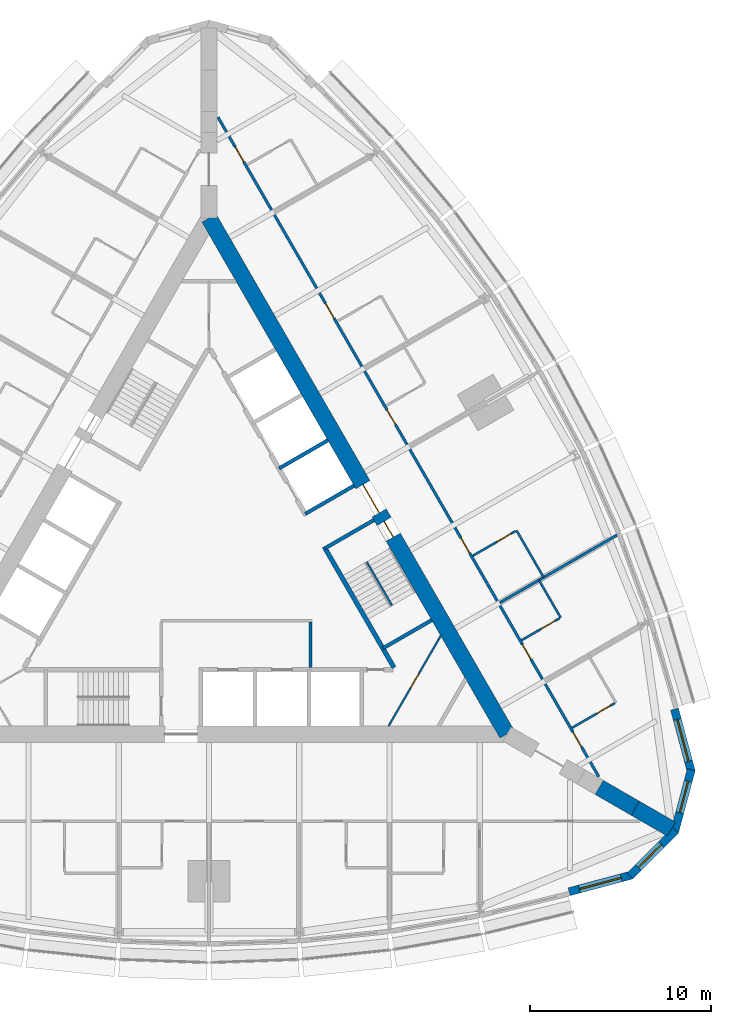
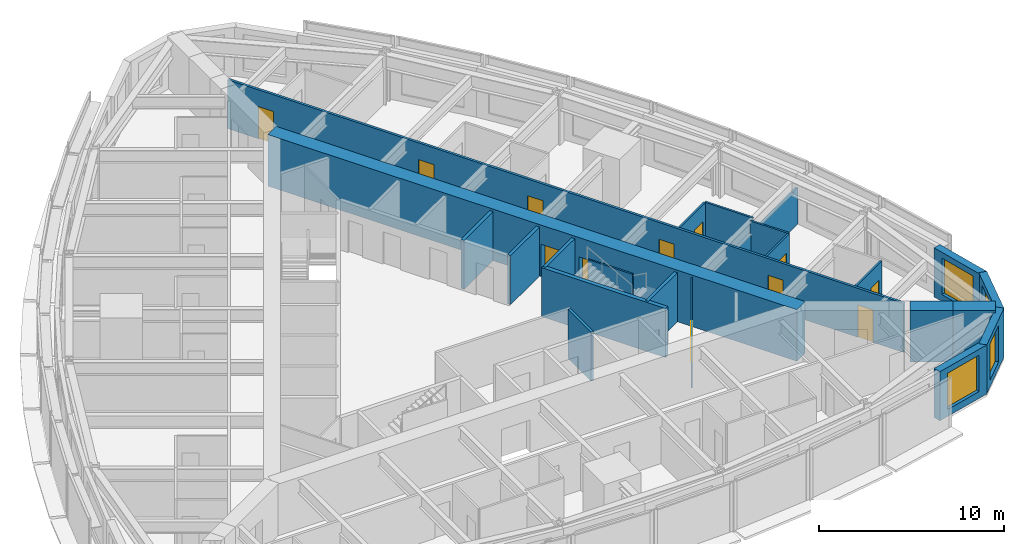
# One storey, part 11 of 14: 22 walls, 12 doors, 4 windows, 16 openings.
"""IFC4 building model written with IfcOpenShell, lengths in metres."""

from ifc_helpers import new_model, si_unit, direction, frame, frame_2d, origin, place, context, subcontext, project, spatial, polyline, rectangle, outline, extrude, material, layer, layer_set, type_object, element, fill, save


model = new_model("IFC4")

# Units and contexts
model_context = context("Model", 3, precision=1e-05, world=origin(), true_north=direction((0.0, 1.0)))
body_context = subcontext(model_context, "Body", "Model", "MODEL_VIEW")
ifc_project = project(units=[si_unit("LENGTHUNIT", "METRE"), si_unit("AREAUNIT", "SQUARE_METRE"), si_unit("VOLUMEUNIT", "CUBIC_METRE"), si_unit("PLANEANGLEUNIT", "RADIAN"), si_unit("MASSUNIT", "GRAM", prefix="KILO")], contexts=[model_context])

# Site, building, storey
site_placement = place(None, origin())
site = spatial("IfcSite", under=ifc_project, at=site_placement, CompositionType="ELEMENT")
building_placement = place(site_placement, origin())
building = spatial("IfcBuilding", under=site, at=building_placement, Name="Trikona Tower", CompositionType="ELEMENT")
storey_placement = place(building_placement, frame((0.0, 0.0, 124.89990234375)))
storey = spatial("IfcBuildingStorey", under=building, at=storey_placement, Name="L32", CompositionType="ELEMENT", Elevation=124.89990234375)

# Wall, opening, door
ifc_material_1 = material(Name="Metal stud and cement board", Category="gypsum")
ifc_layer_1 = layer(ifc_material_1, 0.1201171875)
ifc_layer_set_1 = layer_set([ifc_layer_1], Name="Bathroom wall 120")
wall_type_1 = type_object("IfcWallType", Name="Bathroom wall 120", PredefinedType="PLUMBINGWALL", material=ifc_layer_set_1)
wall_1_placement = place(storey_placement, frame((20.10791015625, -9.17529296875, 0.0), z_axis=(0.0, 0.0, 1.0), x_axis=(0.866035715982, 0.499982138324, 0.0)))
wall_1 = element("IfcWall", 1, at=wall_1_placement, inside=storey, type_object=wall_type_1, Name="Bathroom wall 3206", PredefinedType="PLUMBINGWALL", context=body_context, shape_type="SweptSolid", body=[
    extrude(rectangle(XDim=2.73974609375, YDim=0.1201171875, at=frame_2d((1.369873046875, 0.0))), origin(), (0.0, 0.0, 1.0), 3.235107421875),
])
opening_1_placement = place(wall_1_placement, frame((1.550048828125, 0.0, 0.0)))
opening_1 = element("IfcOpeningElement", 2, at=opening_1_placement, cuts=wall_1, Name="Opening D2", PredefinedType="OPENING", context=body_context, shape_type="SweptSolid", body=[
    extrude(rectangle(XDim=0.89990234375, YDim=2.1298828125, at=frame_2d((0.449951171875, 1.06494140625))), frame((0.0, 0.070068359375, 0.0), z_axis=(0.0, -1.0, 0.0), x_axis=(1.0, 0.0, 0.0)), (0.0, 0.0, 1.0), 0.14013671875),
])
ifc_material_2 = material(Name="Steel door frame with solid-core timber leaf", Category="steel")
door_type_1 = type_object("IfcDoorType", Name="Bathroom door 900x2130", OperationType="SLIDING_TO_LEFT", PredefinedType="DOOR", material=ifc_material_2)
door_1_placement = place(opening_1_placement, origin())
door_1 = element("IfcDoor", 3, at=door_1_placement, inside=storey, type_object=door_type_1, Name="Bathroom door 3206", OperationType="SLIDING_TO_LEFT", OverallHeight=2.1298828125, OverallWidth=0.89990234375, PredefinedType="DOOR", context=body_context, shape_type="SweptSolid", body=[
    extrude(rectangle(XDim=0.89990234375, YDim=2.1298828125, at=frame_2d((0.449951171875, 1.06494140625))), frame((0.0, 0.02490234375, 0.0), z_axis=(0.0, -1.0, 0.0), x_axis=(1.0, 0.0, 0.0)), (0.0, 0.0, 1.0), 0.050048828125),
])
fill(opening_1, door_1)

# Wall
wall_2_placement = place(storey_placement, frame((19.472900390625, -3.07568359375, 0.0), z_axis=(0.0, 0.0, 1.0), x_axis=(-0.499957262057, 0.866050077142, 0.0)))
element("IfcWall", 4, at=wall_2_placement, inside=storey, type_object=wall_type_1, Name="Bathroom wall 3207", PredefinedType="PLUMBINGWALL", context=body_context, shape_type="SweptSolid", body=[
    extrude(rectangle(XDim=2.400146484375, YDim=0.1201171875, at=frame_2d((1.2001953125, 0.0))), origin(), (0.0, 0.0, 1.0), 3.235107421875),
])

# Wall, opening, door
wall_3_placement = place(storey_placement, frame((17.307861328125, -4.32568359375, 0.0), z_axis=(0.0, 0.0, 1.0), x_axis=(0.866023955769, 0.500002508028, 0.0)))
wall_3 = element("IfcWall", 5, at=wall_3_placement, inside=storey, type_object=wall_type_1, Name="Bathroom wall 3207", PredefinedType="PLUMBINGWALL", context=body_context, shape_type="SweptSolid", body=[
    extrude(rectangle(XDim=2.43994140625, YDim=0.1201171875, at=frame_2d((1.219970703125, 0.0))), origin(), (0.0, 0.0, 1.0), 3.235107421875),
])
opening_2_placement = place(wall_3_placement, frame((1.25, 0.0, 0.0)))
opening_2 = element("IfcOpeningElement", 6, at=opening_2_placement, cuts=wall_3, Name="Opening D2", PredefinedType="OPENING", context=body_context, shape_type="SweptSolid", body=[
    extrude(rectangle(XDim=0.89990234375, YDim=2.1298828125, at=frame_2d((0.449951171875, 1.06494140625))), frame((0.0, 0.070068359375, 0.0), z_axis=(0.0, -1.0, 0.0), x_axis=(1.0, 0.0, 0.0)), (0.0, 0.0, 1.0), 0.14013671875),
])
door_2_placement = place(opening_2_placement, origin())
door_2 = element("IfcDoor", 7, at=door_2_placement, inside=storey, type_object=door_type_1, Name="Bathroom door 3207", OperationType="SLIDING_TO_LEFT", OverallHeight=2.1298828125, OverallWidth=0.89990234375, PredefinedType="DOOR", context=body_context, shape_type="SweptSolid", body=[
    extrude(rectangle(XDim=0.89990234375, YDim=2.1298828125, at=frame_2d((0.449951171875, 1.06494140625))), frame((0.0, 0.02490234375, 0.0), z_axis=(0.0, -1.0, 0.0), x_axis=(1.0, 0.0, 0.0)), (0.0, 0.0, 1.0), 0.050048828125),
])
fill(opening_2, door_2)

# Wall
wall_4_placement = place(storey_placement, frame((18.53271484375, -0.84716796875, 0.0), z_axis=(0.0, 0.0, 1.0), x_axis=(-0.499990139034, 0.866031096941, 0.0)))
element("IfcWall", 8, at=wall_4_placement, inside=storey, type_object=wall_type_1, Name="Bathroom wall 3208", PredefinedType="PLUMBINGWALL", context=body_context, shape_type="SweptSolid", body=[
    extrude(rectangle(XDim=3.0, YDim=0.1201171875, at=frame_2d((1.5, 0.0))), origin(), (0.0, 0.0, 1.0), 3.235107421875),
])

# Wall, opening, door
wall_5_placement = place(storey_placement, frame((14.60791015625, 0.35107421875, 0.0), z_axis=(0.0, 0.0, 1.0), x_axis=(0.866035715982, 0.499982138324, 0.0)))
wall_5 = element("IfcWall", 9, at=wall_5_placement, inside=storey, type_object=wall_type_1, Name="Bathroom wall 3208", PredefinedType="PLUMBINGWALL", context=body_context, shape_type="SweptSolid", body=[
    extrude(rectangle(XDim=2.73974609375, YDim=0.1201171875, at=frame_2d((1.369873046875, 0.0))), origin(), (0.0, 0.0, 1.0), 3.235107421875),
])
opening_3_placement = place(wall_5_placement, frame((1.550048828125, 0.0, 0.0)))
opening_3 = element("IfcOpeningElement", 10, at=opening_3_placement, cuts=wall_5, Name="Opening D2", PredefinedType="OPENING", context=body_context, shape_type="SweptSolid", body=[
    extrude(rectangle(XDim=0.89990234375, YDim=2.1298828125, at=frame_2d((0.449951171875, 1.06494140625))), frame((0.0, 0.070068359375, 0.0), z_axis=(0.0, -1.0, 0.0), x_axis=(1.0, 0.0, 0.0)), (0.0, 0.0, 1.0), 0.14013671875),
])
door_3_placement = place(opening_3_placement, origin())
door_3 = element("IfcDoor", 11, at=door_3_placement, inside=storey, type_object=door_type_1, Name="Bathroom door 3208", OperationType="SLIDING_TO_LEFT", OverallHeight=2.1298828125, OverallWidth=0.89990234375, PredefinedType="DOOR", context=body_context, shape_type="SweptSolid", body=[
    extrude(rectangle(XDim=0.89990234375, YDim=2.1298828125, at=frame_2d((0.449951171875, 1.06494140625))), frame((0.0, 0.02490234375, 0.0), z_axis=(0.0, -1.0, 0.0), x_axis=(1.0, 0.0, 0.0)), (0.0, 0.0, 1.0), 0.050048828125),
])
fill(opening_3, door_3)

# Wall, opening, window
ifc_material_3 = material(Name="Brick-faced precast concrete", Category="masonry")
ifc_layer_2 = layer(ifc_material_3, 0.449951171875)
ifc_layer_set_2 = layer_set([ifc_layer_2], Name="Brick-faced corner wall 450")
wall_type_2 = type_object("IfcWallType", Name="Brick-faced corner wall 450", PredefinedType="SOLIDWALL", material=ifc_layer_set_2)
wall_6_placement = place(storey_placement, frame((19.94189453125, -18.2578125, 0.0), z_axis=(0.0, 0.0, 1.0), x_axis=(0.965924653531, 0.258823421857, 0.0)))
wall_6 = element("IfcWall", 12, at=wall_6_placement, inside=storey, type_object=wall_type_2, Name="External wall L32-08", PredefinedType="SOLIDWALL", context=body_context, shape_type="SweptSolid", body=[
    extrude(rectangle(XDim=3.58642578125, YDim=0.449951171875, at=frame_2d((1.793212890625, 0.0))), origin(), (0.0, 0.0, 1.0), 3.235107421875),
])
opening_4_placement = place(wall_6_placement, frame((0.593017578125, 0.0, 0.449951171875)))
opening_4 = element("IfcOpeningElement", 13, at=opening_4_placement, cuts=wall_6, Name="Opening W2424", PredefinedType="OPENING", context=body_context, shape_type="SweptSolid", body=[
    extrude(rectangle(XDim=2.39990234375, YDim=2.39990234375, at=frame_2d((1.199951171875, 1.199951171875))), frame((0.0, 0.23486328125, 0.0), z_axis=(0.0, -1.0, 0.0), x_axis=(1.0, 0.0, 0.0)), (0.0, 0.0, 1.0), 0.469970703125),
])
ifc_material_4 = material(Name="Aluminium-framed double glazing", Category="aluminium")
window_type_1 = type_object("IfcWindowType", Name="Window 2400x2400", PartitioningType="SINGLE_PANEL", PredefinedType="WINDOW", material=ifc_material_4)
window_1_placement = place(opening_4_placement, origin())
window_1 = element("IfcWindow", 14, at=window_1_placement, inside=storey, type_object=window_type_1, Name="Window 3205", OverallHeight=2.39990234375, OverallWidth=2.39990234375, PartitioningType="SINGLE_PANEL", PredefinedType="WINDOW", context=body_context, shape_type="SweptSolid", body=[
    extrude(rectangle(XDim=2.39990234375, YDim=2.39990234375, at=frame_2d((1.199951171875, 1.199951171875))), frame((0.0, 0.030029296875, 0.0), z_axis=(0.0, -1.0, 0.0), x_axis=(1.0, 0.0, 0.0)), (0.0, 0.0, 1.0), 0.06005859375),
])
fill(opening_4, window_1)

wall_7_placement = place(storey_placement, frame((23.304931640625, -17.387939453125, 0.0), z_axis=(0.0, 0.0, 1.0), x_axis=(0.707106781187, 0.707106781187, 0.0)))
wall_7 = element("IfcWall", 15, at=wall_7_placement, inside=storey, type_object=wall_type_2, Name="External wall L32-09", PredefinedType="SOLIDWALL", context=body_context, shape_type="SweptSolid", body=[
    extrude(outline(polyline([(3.586181640625, 0.22509765625), (3.527099609375, 0.22509765625), (3.03515625, 0.09326171875), (3.0, 0.22509765625), (0.0, 0.22509765625), (0.0, -0.22509765625), (3.586181640625, -0.22509765625), (3.586181640625, 0.22509765625)])), origin(), (0.0, 0.0, 1.0), 3.235107421875),
])
opening_5_placement = place(wall_7_placement, frame((0.6748046875, 0.0, 0.449951171875)))
opening_5 = element("IfcOpeningElement", 16, at=opening_5_placement, cuts=wall_7, Name="Opening W1824", PredefinedType="OPENING", context=body_context, shape_type="SweptSolid", body=[
    extrude(rectangle(XDim=1.800048828125, YDim=2.39990234375, at=frame_2d((0.89990234375, 1.199951171875))), frame((0.0, 0.23486328125, 0.0), z_axis=(0.0, -1.0, 0.0), x_axis=(1.0, 0.0, 0.0)), (0.0, 0.0, 1.0), 0.469970703125),
])
ifc_material_5 = material(Name="Aluminium-framed double glazing", Category="aluminium")
window_type_2 = type_object("IfcWindowType", Name="Window 1800x2400", PartitioningType="SINGLE_PANEL", PredefinedType="WINDOW", material=ifc_material_5)
window_2_placement = place(opening_5_placement, origin())
window_2 = element("IfcWindow", 17, at=window_2_placement, inside=storey, type_object=window_type_2, Name="Window 3205", OverallHeight=2.39990234375, OverallWidth=1.800048828125, PartitioningType="SINGLE_PANEL", PredefinedType="WINDOW", context=body_context, shape_type="SweptSolid", body=[
    extrude(rectangle(XDim=1.800048828125, YDim=2.39990234375, at=frame_2d((0.89990234375, 1.199951171875))), frame((0.0, 0.030029296875, 0.0), z_axis=(0.0, -1.0, 0.0), x_axis=(1.0, 0.0, 0.0)), (0.0, 0.0, 1.0), 0.06005859375),
])
fill(opening_5, window_2)

wall_8_placement = place(storey_placement, frame((25.78271484375, -14.952880859375, 0.0), z_axis=(0.0, 0.0, 1.0), x_axis=(0.258823421857, 0.965924653531, 0.0)))
wall_8 = element("IfcWall", 18, at=wall_8_placement, inside=storey, type_object=wall_type_2, Name="External wall L32-10", PredefinedType="SOLIDWALL", context=body_context, shape_type="SweptSolid", body=[
    extrude(outline(polyline([(3.58642578125, 0.22509765625), (0.58642578125, 0.22509765625), (0.551025390625, 0.09326171875), (0.0595703125, 0.22509765625), (0.0, 0.22509765625), (0.0, -0.22509765625), (3.58642578125, -0.22509765625), (3.58642578125, 0.22509765625)])), origin(), (0.0, 0.0, 1.0), 3.235107421875),
])
opening_6_placement = place(wall_8_placement, frame((1.111328125, 0.0, 0.449951171875)))
opening_6 = element("IfcOpeningElement", 19, at=opening_6_placement, cuts=wall_8, Name="Opening W1824", PredefinedType="OPENING", context=body_context, shape_type="SweptSolid", body=[
    extrude(rectangle(XDim=1.800048828125, YDim=2.39990234375, at=frame_2d((0.89990234375, 1.199951171875))), frame((0.0, 0.23486328125, 0.0), z_axis=(0.0, -1.0, 0.0), x_axis=(1.0, 0.0, 0.0)), (0.0, 0.0, 1.0), 0.469970703125),
])
window_3_placement = place(opening_6_placement, origin())
window_3 = element("IfcWindow", 20, at=window_3_placement, inside=storey, type_object=window_type_2, Name="Window 3206", OverallHeight=2.39990234375, OverallWidth=1.800048828125, PartitioningType="SINGLE_PANEL", PredefinedType="WINDOW", context=body_context, shape_type="SweptSolid", body=[
    extrude(rectangle(XDim=1.800048828125, YDim=2.39990234375, at=frame_2d((0.89990234375, 1.199951171875))), frame((0.0, 0.030029296875, 0.0), z_axis=(0.0, -1.0, 0.0), x_axis=(1.0, 0.0, 0.0)), (0.0, 0.0, 1.0), 0.06005859375),
])
fill(opening_6, window_3)

wall_9_placement = place(storey_placement, frame((26.7109375, -11.605224609375, 0.0), z_axis=(0.0, 0.0, 1.0), x_axis=(-0.258823421857, 0.965924653531, 0.0)))
wall_9 = element("IfcWall", 21, at=wall_9_placement, inside=storey, type_object=wall_type_2, Name="External wall L32-11", PredefinedType="SOLIDWALL", context=body_context, shape_type="SweptSolid", body=[
    extrude(rectangle(XDim=3.58642578125, YDim=0.449951171875, at=frame_2d((1.793212890625, 0.0))), origin(), (0.0, 0.0, 1.0), 3.235107421875),
])
opening_7_placement = place(wall_9_placement, frame((0.593017578125, 0.0, 0.449951171875)))
opening_7 = element("IfcOpeningElement", 22, at=opening_7_placement, cuts=wall_9, Name="Opening W2424", PredefinedType="OPENING", context=body_context, shape_type="SweptSolid", body=[
    extrude(rectangle(XDim=2.39990234375, YDim=2.39990234375, at=frame_2d((1.199951171875, 1.199951171875))), frame((0.0, 0.23486328125, 0.0), z_axis=(0.0, -1.0, 0.0), x_axis=(1.0, 0.0, 0.0)), (0.0, 0.0, 1.0), 0.469970703125),
])
window_4_placement = place(opening_7_placement, origin())
window_4 = element("IfcWindow", 23, at=window_4_placement, inside=storey, type_object=window_type_1, Name="Window 3206", OverallHeight=2.39990234375, OverallWidth=2.39990234375, PartitioningType="SINGLE_PANEL", PredefinedType="WINDOW", context=body_context, shape_type="SweptSolid", body=[
    extrude(rectangle(XDim=2.39990234375, YDim=2.39990234375, at=frame_2d((1.199951171875, 1.199951171875))), frame((0.0, 0.030029296875, 0.0), z_axis=(0.0, -1.0, 0.0), x_axis=(1.0, 0.0, 0.0)), (0.0, 0.0, 1.0), 0.06005859375),
])
fill(opening_7, window_4)

# Walls
ifc_material_6 = material(Name="Concrete f'c 10000 psi", Category="concrete")
ifc_layer_3 = layer(ifc_material_6, 0.89990234375)
ifc_layer_set_3 = layer_set([ifc_layer_3], Name="Buttress wall 900")
wall_type_3 = type_object("IfcWallType", Name="Buttress wall 900", PredefinedType="SHEAR", material=ifc_layer_set_3)
for number, where, z_axis, x_axis, name in (
    (24, (21.6103515625, -12.476806640625, 0.0), (0.0, 0.0, 1.0), (0.866055313784, -0.499948190782, 0.0), "Buttress wall 1 part 3"),
    (25, (23.6103515625, -13.63134765625, 0.0), (0.0, 0.0, 1.0), (0.866009537788, -0.500027479704, 0.0), "Buttress wall 1 part 4"),
):
    element("IfcWall", number, at=place(storey_placement, frame(where, z_axis=z_axis, x_axis=x_axis)), inside=storey, type_object=wall_type_3, Name=name, PredefinedType="SHEAR", context=body_context, shape_type="SweptSolid", body=[
        extrude(rectangle(XDim=2.309326171875, YDim=0.89990234375, at=frame_2d((1.15478515625, 0.0))), origin(), (0.0, 0.0, 1.0), 3.400146484375),
    ])

# Wall, openings, doors
ifc_material_7 = material(Name="Concrete f'c 10000 psi", Category="concrete")
ifc_layer_4 = layer(ifc_material_7, 0.89990234375)
ifc_layer_set_4 = layer_set([ifc_layer_4], Name="Core wall 900")
wall_type_4 = type_object("IfcWallType", Name="Core wall 900", PredefinedType="SHEAR", material=ifc_layer_set_4)
wall_10_placement = place(storey_placement, frame((16.5, -9.5263671875, 0.0), z_axis=(0.0, 0.0, 1.0), x_axis=(-0.499999749417, 0.866025548458, 0.0)))
wall_10 = element("IfcWall", 26, at=wall_10_placement, inside=storey, type_object=wall_type_4, Name="Core wall B", PredefinedType="SHEAR", context=body_context, shape_type="SweptSolid", body=[
    extrude(rectangle(XDim=33.0, YDim=0.89990234375, at=frame_2d((16.5, 0.0))), origin(), (0.0, 0.0, 1.0), 3.400146484375),
])
opening_8_placement = place(wall_10_placement, frame((14.14990234375, 0.0, 0.0)))
opening_8 = element("IfcOpeningElement", 27, at=opening_8_placement, cuts=wall_10, Name="Opening D6", PredefinedType="OPENING", context=body_context, shape_type="SweptSolid", body=[
    extrude(rectangle(XDim=1.800048828125, YDim=2.1298828125, at=frame_2d((0.89990234375, 1.06494140625))), frame((0.0, 0.4599609375, 0.0), z_axis=(0.0, -1.0, 0.0), x_axis=(1.0, 0.0, 0.0)), (0.0, 0.0, 1.0), 0.919921875),
])
opening_9_placement = place(wall_10_placement, frame((12.60009765625, 0.0, 0.0)))
opening_9 = element("IfcOpeningElement", 28, at=opening_9_placement, cuts=wall_10, Name="Opening D5", PredefinedType="OPENING", context=body_context, shape_type="SweptSolid", body=[
    extrude(rectangle(XDim=1.0, YDim=2.1298828125, at=frame_2d((0.5, 1.06494140625))), frame((0.0, 0.4599609375, 0.0), z_axis=(0.0, -1.0, 0.0), x_axis=(1.0, 0.0, 0.0)), (0.0, 0.0, 1.0), 0.919921875),
])
ifc_material_8 = material(Name="Hollow metal door and frame", Category="steel")
door_type_2 = type_object("IfcDoorType", Name="Lobby door pair 1800x2130", OperationType="DOUBLE_DOOR_SINGLE_SWING", PredefinedType="DOOR", material=ifc_material_8)
door_4_placement = place(opening_8_placement, origin())
door_4 = element("IfcDoor", 29, at=door_4_placement, inside=storey, type_object=door_type_2, Name="Lift lobby door B", OperationType="DOUBLE_DOOR_SINGLE_SWING", OverallHeight=2.1298828125, OverallWidth=1.800048828125, PredefinedType="DOOR", context=body_context, shape_type="SweptSolid", body=[
    extrude(rectangle(XDim=1.800048828125, YDim=2.1298828125, at=frame_2d((0.89990234375, 1.06494140625))), frame((0.0, 0.02490234375, 0.0), z_axis=(0.0, -1.0, 0.0), x_axis=(1.0, 0.0, 0.0)), (0.0, 0.0, 1.0), 0.050048828125),
])
fill(opening_8, door_4)
ifc_material_9 = material(Name="Hollow metal door and frame", Category="steel")
door_type_3 = type_object("IfcDoorType", Name="Stair door 1000x2130", OperationType="SINGLE_SWING_LEFT", PredefinedType="DOOR", material=ifc_material_9)
door_5_placement = place(opening_9_placement, origin())
door_5 = element("IfcDoor", 30, at=door_5_placement, inside=storey, type_object=door_type_3, Name="Stair B door", OperationType="SINGLE_SWING_RIGHT", OverallHeight=2.1298828125, OverallWidth=1.0, PredefinedType="DOOR", context=body_context, shape_type="SweptSolid", body=[
    extrude(rectangle(XDim=1.0, YDim=2.1298828125, at=frame_2d((0.5, 1.06494140625))), frame((0.0, 0.02490234375, 0.0), z_axis=(0.0, -1.0, 0.0), x_axis=(1.0, 0.0, 0.0)), (0.0, 0.0, 1.0), 0.050048828125),
])
fill(opening_9, door_5)

ifc_material_10 = material(Name="Metal stud and gypsum board, 1-hour", Category="gypsum")
ifc_layer_5 = layer(ifc_material_10, 0.14990234375)
ifc_layer_set_5 = layer_set([ifc_layer_5], Name="Corridor wall 150")
wall_type_5 = type_object("IfcWallType", Name="Corridor wall 150", PredefinedType="PARTITIONING", material=ifc_layer_set_5)
wall_11_placement = place(storey_placement, frame((21.5859375, -11.88525390625, 0.0), z_axis=(0.0, 0.0, 1.0), x_axis=(-0.500001915564, 0.86602429783, 0.0)))
wall_11 = element("IfcWall", 31, at=wall_11_placement, inside=storey, type_object=wall_type_5, Name="Corridor wall L32-2", PredefinedType="PARTITIONING", context=body_context, shape_type="SweptSolid", body=[
    extrude(rectangle(XDim=42.171630859375, YDim=0.14990234375, at=frame_2d((21.0859375, 0.0))), origin(), (0.0, 0.0, 1.0), 3.235107421875),
])
opening_10_placement = place(wall_11_placement, frame((1.910888671875, 0.0, 0.0)))
opening_10 = element("IfcOpeningElement", 32, at=opening_10_placement, cuts=wall_11, Name="Opening D1", PredefinedType="OPENING", context=body_context, shape_type="SweptSolid", body=[
    extrude(rectangle(XDim=0.949951171875, YDim=2.1298828125, at=frame_2d((0.47509765625, 1.06494140625))), frame((0.0, 0.0849609375, 0.0), z_axis=(0.0, -1.0, 0.0), x_axis=(1.0, 0.0, 0.0)), (0.0, 0.0, 1.0), 0.169921875),
])
opening_11_placement = place(wall_11_placement, frame((7.510986328125, 0.0, 0.0)))
opening_11 = element("IfcOpeningElement", 33, at=opening_11_placement, cuts=wall_11, Name="Opening D1", PredefinedType="OPENING", context=body_context, shape_type="SweptSolid", body=[
    extrude(rectangle(XDim=0.949951171875, YDim=2.1298828125, at=frame_2d((0.47509765625, 1.06494140625))), frame((0.0, 0.0849609375, 0.0), z_axis=(0.0, -1.0, 0.0), x_axis=(1.0, 0.0, 0.0)), (0.0, 0.0, 1.0), 0.169921875),
])
opening_12_placement = place(wall_11_placement, frame((14.310791015625, 0.0, 0.0)))
opening_12 = element("IfcOpeningElement", 34, at=opening_12_placement, cuts=wall_11, Name="Opening D1", PredefinedType="OPENING", context=body_context, shape_type="SweptSolid", body=[
    extrude(rectangle(XDim=0.949951171875, YDim=2.1298828125, at=frame_2d((0.47509765625, 1.06494140625))), frame((0.0, 0.0849609375, 0.0), z_axis=(0.0, -1.0, 0.0), x_axis=(1.0, 0.0, 0.0)), (0.0, 0.0, 1.0), 0.169921875),
])
opening_13_placement = place(wall_11_placement, frame((22.510986328125, 0.0, 0.0)))
opening_13 = element("IfcOpeningElement", 35, at=opening_13_placement, cuts=wall_11, Name="Opening D1", PredefinedType="OPENING", context=body_context, shape_type="SweptSolid", body=[
    extrude(rectangle(XDim=0.949951171875, YDim=2.1298828125, at=frame_2d((0.47509765625, 1.06494140625))), frame((0.0, 0.0849609375, 0.0), z_axis=(0.0, -1.0, 0.0), x_axis=(1.0, 0.0, 0.0)), (0.0, 0.0, 1.0), 0.169921875),
])
opening_14_placement = place(wall_11_placement, frame((29.310791015625, 0.0, 0.0)))
opening_14 = element("IfcOpeningElement", 36, at=opening_14_placement, cuts=wall_11, Name="Opening D1", PredefinedType="OPENING", context=body_context, shape_type="SweptSolid", body=[
    extrude(rectangle(XDim=0.949951171875, YDim=2.1298828125, at=frame_2d((0.47509765625, 1.06494140625))), frame((0.0, 0.0849609375, 0.0), z_axis=(0.0, -1.0, 0.0), x_axis=(1.0, 0.0, 0.0)), (0.0, 0.0, 1.0), 0.169921875),
])
opening_15_placement = place(wall_11_placement, frame((39.310791015625, 0.0, 0.0)))
opening_15 = element("IfcOpeningElement", 37, at=opening_15_placement, cuts=wall_11, Name="Opening D1", PredefinedType="OPENING", context=body_context, shape_type="SweptSolid", body=[
    extrude(rectangle(XDim=0.949951171875, YDim=2.1298828125, at=frame_2d((0.47509765625, 1.06494140625))), frame((0.0, 0.0849609375, 0.0), z_axis=(0.0, -1.0, 0.0), x_axis=(1.0, 0.0, 0.0)), (0.0, 0.0, 1.0), 0.169921875),
])
ifc_material_11 = material(Name="Steel door frame with solid-core timber leaf", Category="steel")
door_type_4 = type_object("IfcDoorType", Name="Guest room door 950x2130", OperationType="SINGLE_SWING_LEFT", PredefinedType="DOOR", material=ifc_material_11)
door_6_placement = place(opening_10_placement, origin())
door_6 = element("IfcDoor", 38, at=door_6_placement, inside=storey, type_object=door_type_4, Name="Room door 3206", OperationType="SINGLE_SWING_LEFT", OverallHeight=2.1298828125, OverallWidth=0.949951171875, PredefinedType="DOOR", context=body_context, shape_type="SweptSolid", body=[
    extrude(rectangle(XDim=0.949951171875, YDim=2.1298828125, at=frame_2d((0.47509765625, 1.06494140625))), frame((0.0, 0.02490234375, 0.0), z_axis=(0.0, -1.0, 0.0), x_axis=(1.0, 0.0, 0.0)), (0.0, 0.0, 1.0), 0.050048828125),
])
fill(opening_10, door_6)
door_7_placement = place(opening_11_placement, origin())
door_7 = element("IfcDoor", 39, at=door_7_placement, inside=storey, type_object=door_type_4, Name="Room door 3207", OperationType="SINGLE_SWING_RIGHT", OverallHeight=2.1298828125, OverallWidth=0.949951171875, PredefinedType="DOOR", context=body_context, shape_type="SweptSolid", body=[
    extrude(rectangle(XDim=0.949951171875, YDim=2.1298828125, at=frame_2d((0.47509765625, 1.06494140625))), frame((0.0, 0.02490234375, 0.0), z_axis=(0.0, -1.0, 0.0), x_axis=(1.0, 0.0, 0.0)), (0.0, 0.0, 1.0), 0.050048828125),
])
fill(opening_11, door_7)
door_8_placement = place(opening_12_placement, origin())
door_8 = element("IfcDoor", 40, at=door_8_placement, inside=storey, type_object=door_type_4, Name="Room door 3208", OperationType="SINGLE_SWING_LEFT", OverallHeight=2.1298828125, OverallWidth=0.949951171875, PredefinedType="DOOR", context=body_context, shape_type="SweptSolid", body=[
    extrude(rectangle(XDim=0.949951171875, YDim=2.1298828125, at=frame_2d((0.47509765625, 1.06494140625))), frame((0.0, 0.02490234375, 0.0), z_axis=(0.0, -1.0, 0.0), x_axis=(1.0, 0.0, 0.0)), (0.0, 0.0, 1.0), 0.050048828125),
])
fill(opening_12, door_8)
door_9_placement = place(opening_13_placement, origin())
door_9 = element("IfcDoor", 41, at=door_9_placement, inside=storey, type_object=door_type_4, Name="Room door 3209", OperationType="SINGLE_SWING_RIGHT", OverallHeight=2.1298828125, OverallWidth=0.949951171875, PredefinedType="DOOR", context=body_context, shape_type="SweptSolid", body=[
    extrude(rectangle(XDim=0.949951171875, YDim=2.1298828125, at=frame_2d((0.47509765625, 1.06494140625))), frame((0.0, 0.02490234375, 0.0), z_axis=(0.0, -1.0, 0.0), x_axis=(1.0, 0.0, 0.0)), (0.0, 0.0, 1.0), 0.050048828125),
])
fill(opening_13, door_9)
door_10_placement = place(opening_14_placement, origin())
door_10 = element("IfcDoor", 42, at=door_10_placement, inside=storey, type_object=door_type_4, Name="Room door 3210", OperationType="SINGLE_SWING_LEFT", OverallHeight=2.1298828125, OverallWidth=0.949951171875, PredefinedType="DOOR", context=body_context, shape_type="SweptSolid", body=[
    extrude(rectangle(XDim=0.949951171875, YDim=2.1298828125, at=frame_2d((0.47509765625, 1.06494140625))), frame((0.0, 0.02490234375, 0.0), z_axis=(0.0, -1.0, 0.0), x_axis=(1.0, 0.0, 0.0)), (0.0, 0.0, 1.0), 0.050048828125),
])
fill(opening_14, door_10)
door_11_placement = place(opening_15_placement, origin())
door_11 = element("IfcDoor", 43, at=door_11_placement, inside=storey, type_object=door_type_4, Name="Room door 3211", OperationType="SINGLE_SWING_RIGHT", OverallHeight=2.1298828125, OverallWidth=0.949951171875, PredefinedType="DOOR", context=body_context, shape_type="SweptSolid", body=[
    extrude(rectangle(XDim=0.949951171875, YDim=2.1298828125, at=frame_2d((0.47509765625, 1.06494140625))), frame((0.0, 0.02490234375, 0.0), z_axis=(0.0, -1.0, 0.0), x_axis=(1.0, 0.0, 0.0)), (0.0, 0.0, 1.0), 0.050048828125),
])
fill(opening_15, door_11)

# Walls
ifc_material_12 = material(Name="Concrete f'c 8000 psi", Category="concrete")
ifc_layer_6 = layer(ifc_material_12, 0.25)
ifc_layer_set_6 = layer_set([ifc_layer_6], Name="Hub wall 250")
wall_type_6 = type_object("IfcWallType", Name="Hub wall 250", PredefinedType="SOLIDWALL", material=ifc_layer_set_6)
wall_12_placement = place(storey_placement, frame((10.245361328125, -5.843017578125, 0.0), z_axis=(0.0, 0.0, 1.0), x_axis=(-0.499993009313, 0.866029439822, 0.0)))
element("IfcWall", 44, at=wall_12_placement, inside=storey, type_object=wall_type_6, Name="Lift lobby wall B1", PredefinedType="SOLIDWALL", context=body_context, shape_type="SweptSolid", body=[
    extrude(rectangle(XDim=7.73291015625, YDim=0.25, at=frame_2d((3.866455078125, 0.0))), origin(), (0.0, 0.0, 1.0), 3.235107421875),
])
ifc_material_13 = material(Name="Metal stud and gypsum board, 2-hour shaft wall", Category="gypsum")
ifc_layer_7 = layer(ifc_material_13, 0.14990234375)
ifc_layer_set_7 = layer_set([ifc_layer_7], Name="Lobby wall 150")
wall_type_7 = type_object("IfcWallType", Name="Lobby wall 150", PredefinedType="PARTITIONING", material=ifc_layer_set_7)
wall_13_placement = place(storey_placement, frame((5.625, -5.826416015625, 0.0), z_axis=(0.0, 0.0, 1.0), x_axis=(0.0, 1.0, 0.0)))
element("IfcWall", 45, at=wall_13_placement, inside=storey, type_object=wall_type_7, Name="Fire service lift lobby wall 3", PredefinedType="PARTITIONING", context=body_context, shape_type="SweptSolid", body=[
    extrude(rectangle(XDim=2.5, YDim=0.14990234375, at=frame_2d((1.25, 0.0))), origin(), (0.0, 0.0, 1.0), 3.235107421875),
])
ifc_material_14 = material(Name="Metal stud and gypsum board, 1-hour acoustic", Category="gypsum")
ifc_layer_8 = layer(ifc_material_14, 0.14990234375)
ifc_layer_set_8 = layer_set([ifc_layer_8], Name="Party wall 150")
wall_type_8 = type_object("IfcWallType", Name="Party wall 150", PredefinedType="PARTITIONING", material=ifc_layer_set_8)
wall_14_placement = place(storey_placement, frame((16.10791015625, -2.2470703125, 0.0), z_axis=(0.0, 0.0, 1.0), x_axis=(0.866025567496, 0.499999716443, 0.0)))
element("IfcWall", 46, at=wall_14_placement, inside=storey, type_object=wall_type_8, Name="Partition L32 F2 u-10", PredefinedType="PARTITIONING", context=body_context, shape_type="SweptSolid", body=[
    extrude(rectangle(XDim=7.4951171875, YDim=0.14990234375, at=frame_2d((3.74755859375, 0.0))), origin(), (0.0, 0.0, 1.0), 2.389404296875),
])
ifc_material_15 = material(Name="Concrete f'c 8000 psi", Category="concrete")
ifc_layer_9 = layer(ifc_material_15, 0.199951171875)
ifc_layer_set_9 = layer_set([ifc_layer_9], Name="Shaft wall 200")
wall_type_9 = type_object("IfcWallType", Name="Shaft wall 200", PredefinedType="SOLIDWALL", material=ifc_layer_set_9)
for number, where, z_axis, x_axis, name in (
    (47, (5.3291015625, 2.672607421875, 0.0), (0.0, 0.0, 1.0), (0.866022959057, 0.500004234368, 0.0), "Shaft wall B3"),
    (48, (3.87890625, 5.18408203125, 0.0), (0.0, 0.0, 1.0), (0.866022959057, 0.500004234368, 0.0), "Shaft wall B4"),
):
    element("IfcWall", number, at=place(storey_placement, frame(where, z_axis=z_axis, x_axis=x_axis)), inside=storey, type_object=wall_type_9, Name=name, PredefinedType="SOLIDWALL", context=body_context, shape_type="SweptSolid", body=[
        extrude(rectangle(XDim=3.125, YDim=0.199951171875, at=frame_2d((1.5625, 0.0))), origin(), (0.0, 0.0, 1.0), 3.235107421875),
    ])
ifc_material_16 = material(Name="Concrete f'c 8000 psi", Category="concrete")
ifc_layer_10 = layer(ifc_material_16, 0.199951171875)
ifc_layer_set_10 = layer_set([ifc_layer_10], Name="Shaft wall 200 load-bearing")
wall_type_10 = type_object("IfcWallType", Name="Shaft wall 200 load-bearing", PredefinedType="SOLIDWALL", material=ifc_layer_set_10)
for number, where, z_axis, x_axis, name in (
    (49, (9.62890625, -4.775390625, 0.0), (0.0, 0.0, 1.0), (0.866022959057, 0.500004234368, 0.0), "Shaft wall B1"),
    (50, (6.428955078125, 0.767333984375, 0.0), (0.0, 0.0, 1.0), (0.866022959057, 0.500004234368, 0.0), "Shaft wall B2"),
):
    element("IfcWall", number, at=place(storey_placement, frame(where, z_axis=z_axis, x_axis=x_axis)), inside=storey, type_object=wall_type_10, Name=name, PredefinedType="SOLIDWALL", context=body_context, shape_type="SweptSolid", body=[
        extrude(rectangle(XDim=3.125, YDim=0.199951171875, at=frame_2d((1.5625, 0.0))), origin(), (0.0, 0.0, 1.0), 3.235107421875),
    ])
ifc_material_17 = material(Name="Concrete f'c 5000 psi", Category="concrete")
ifc_layer_11 = layer(ifc_material_17, 0.10009765625)
ifc_layer_set_11 = layer_set([ifc_layer_11], Name="Stair spine wall 100")
wall_type_11 = type_object("IfcWallType", Name="Stair spine wall 100", PredefinedType="SOLIDWALL", material=ifc_layer_set_11)
wall_15_placement = place(storey_placement, frame((10.134765625, -2.4013671875, 0.0), z_axis=(0.0, 0.0, 1.0), x_axis=(-0.499992232847, 0.866029888106, 0.0)))
element("IfcWall", 51, at=wall_15_placement, inside=storey, type_object=wall_type_11, Name="Stair B spine wall L32", PredefinedType="SOLIDWALL", context=body_context, shape_type="SweptSolid", body=[
    extrude(rectangle(XDim=2.7939453125, YDim=0.10009765625, at=frame_2d((1.39697265625, 0.0))), origin(), (0.0, 0.0, 1.0), 3.400146484375),
])

# Wall, opening, door
ifc_material_18 = material(Name="Metal stud and gypsum board, acoustic", Category="gypsum")
ifc_layer_12 = layer(ifc_material_18, 0.10009765625)
ifc_layer_set_12 = layer_set([ifc_layer_12], Name="Suite partition 100")
wall_type_12 = type_object("IfcWallType", Name="Suite partition 100", PredefinedType="PARTITIONING", material=ifc_layer_set_12)
wall_16_placement = place(storey_placement, frame((12.833984375, -4.076416015625, 0.0), z_axis=(0.0, 0.0, 1.0), x_axis=(-0.500027479704, -0.866009537788, 0.0)))
wall_16 = element("IfcWall", 52, at=wall_16_placement, inside=storey, type_object=wall_type_12, Name="Store partition L32-RS1", PredefinedType="PARTITIONING", context=body_context, shape_type="SweptSolid", body=[
    extrude(rectangle(XDim=5.773681640625, YDim=0.10009765625, at=frame_2d((2.88671875, 0.0))), origin(), (0.0, 0.0, 1.0), 3.235107421875),
])
opening_16_placement = place(wall_16_placement, frame((2.436767578125, 0.0, 0.0)))
opening_16 = element("IfcOpeningElement", 53, at=opening_16_placement, cuts=wall_16, Name="Opening D15", PredefinedType="OPENING", context=body_context, shape_type="SweptSolid", body=[
    extrude(rectangle(XDim=0.89990234375, YDim=2.1298828125, at=frame_2d((0.449951171875, 1.06494140625))), frame((0.0, 0.06005859375, 0.0), z_axis=(0.0, -1.0, 0.0), x_axis=(1.0, 0.0, 0.0)), (0.0, 0.0, 1.0), 0.1201171875),
])
ifc_material_19 = material(Name="Steel door frame with solid-core timber leaf", Category="steel")
door_type_5 = type_object("IfcDoorType", Name="Store door 900x2130", OperationType="SINGLE_SWING_LEFT", PredefinedType="DOOR", material=ifc_material_19)
door_12_placement = place(opening_16_placement, origin())
door_12 = element("IfcDoor", 54, at=door_12_placement, inside=storey, type_object=door_type_5, Name="Door Storage STO", OperationType="SINGLE_SWING_RIGHT", OverallHeight=2.1298828125, OverallWidth=0.89990234375, PredefinedType="DOOR", context=body_context, shape_type="SweptSolid", body=[
    extrude(rectangle(XDim=0.89990234375, YDim=2.1298828125, at=frame_2d((0.449951171875, 1.06494140625))), frame((0.0, 0.02490234375, 0.0), z_axis=(0.0, -1.0, 0.0), x_axis=(1.0, 0.0, 0.0)), (0.0, 0.0, 1.0), 0.050048828125),
])
fill(opening_16, door_12)

save(model, "model.ifc")
